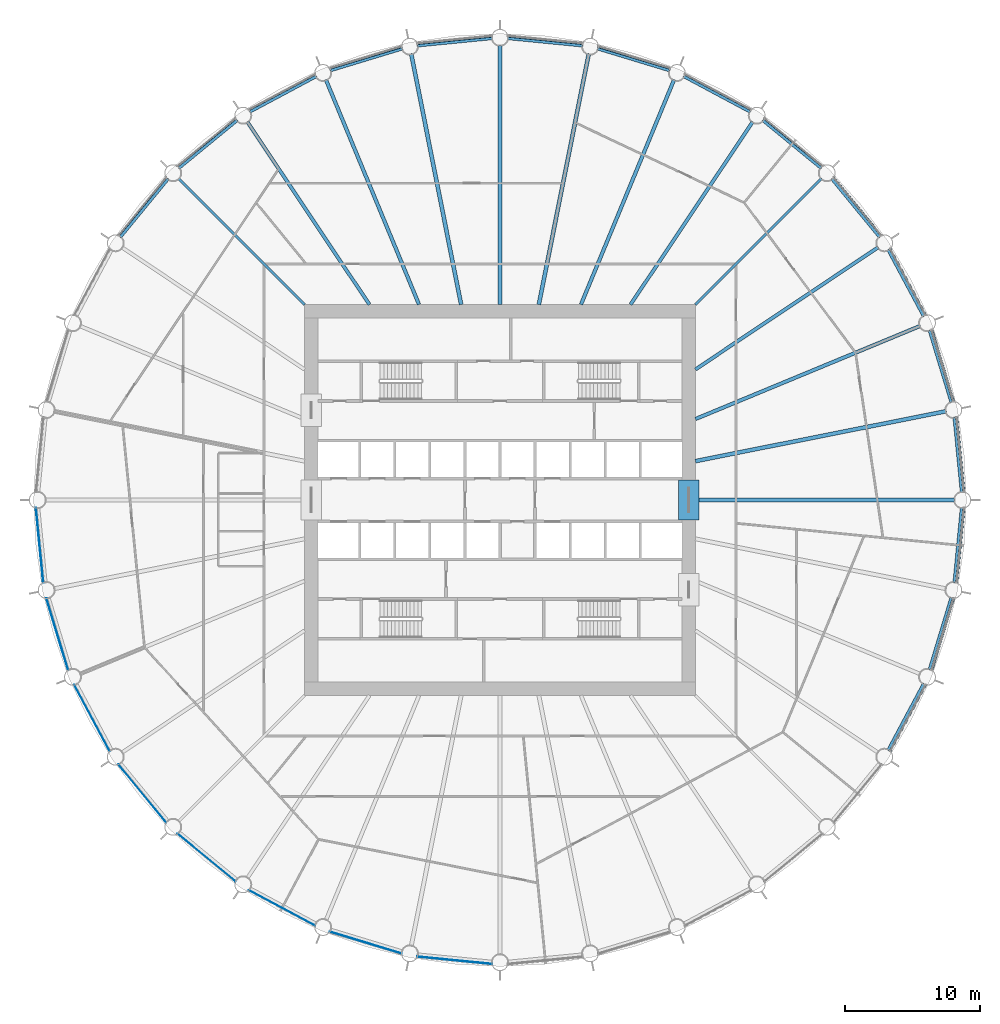
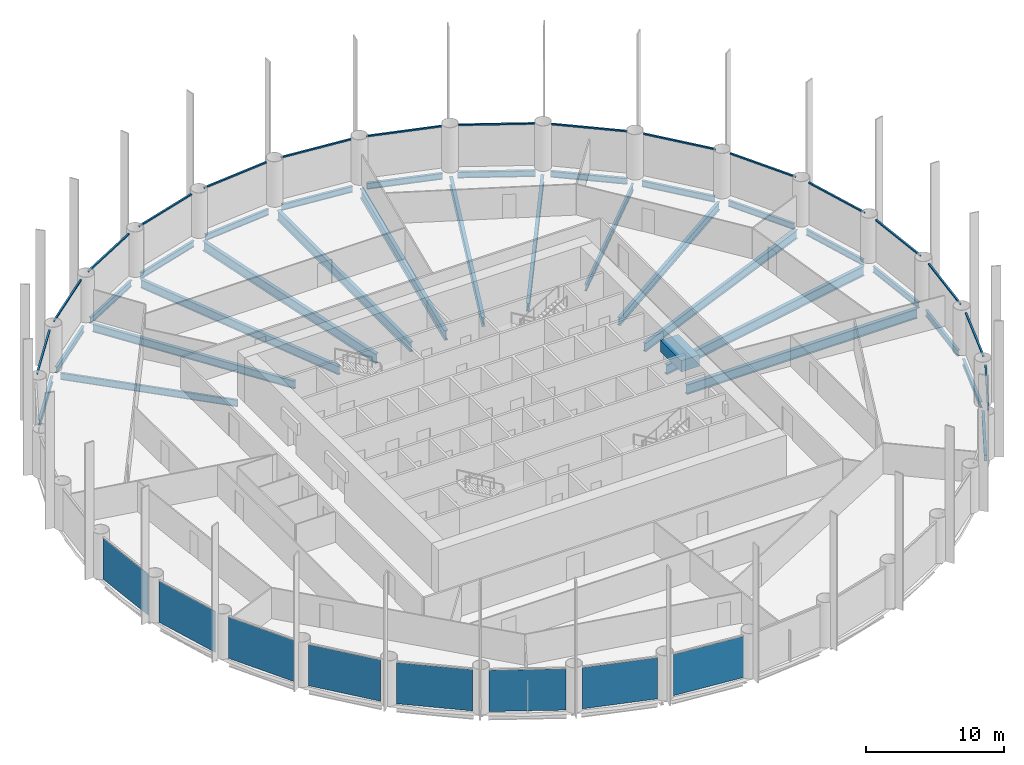
# One storey, part 2 of 10: 30 beams, 16 members, 8 plates, 24 elements without a shape of their own.
"""IFC4 building model written with IfcOpenShell, lengths in metres."""

from ifc_helpers import new_model, si_unit, direction, frame, origin, origin_2d, place, context, subcontext, project, spatial, rectangle, i_section, extrude, material, layer, layer_set, material_profile, profile_set, type_object, element, aggregate, save


model = new_model("IFC4")

# Units and contexts
model_context = context("Model", 3, precision=1e-05, world=origin(), true_north=direction((0.0, 1.0)))
body_context = subcontext(model_context, "Body", "Model", "MODEL_VIEW")
ifc_project = project(units=[si_unit("LENGTHUNIT", "METRE"), si_unit("AREAUNIT", "SQUARE_METRE"), si_unit("VOLUMEUNIT", "CUBIC_METRE"), si_unit("PLANEANGLEUNIT", "RADIAN"), si_unit("MASSUNIT", "GRAM", prefix="KILO")], contexts=[model_context])

# Site, building, storey
site_placement = place(None, origin())
site = spatial("IfcSite", under=ifc_project, at=site_placement, CompositionType="ELEMENT")
building_placement = place(site_placement, origin())
building = spatial("IfcBuilding", under=site, at=building_placement, Name="Corvane Civic Tower", CompositionType="ELEMENT")
storey_placement = place(building_placement, frame((0.0, 0.0, 106.5)))
storey = spatial("IfcBuildingStorey", under=building, at=storey_placement, Name="L24", CompositionType="ELEMENT", Elevation=106.5)

# Beams
ifc_material_1 = material(Name="Concrete C70/85", Category="concrete")
ifc_material_profile_1 = material_profile(ifc_material_1, rectangle(XDim=1.5, YDim=1.0, at=origin_2d()), Name="COUPLING BEAM 1500X1000")
ifc_profile_set_1 = profile_set([ifc_material_profile_1], Name="Concrete C70/85")
beam_type_1 = type_object("IfcBeamType", Name="COUPLING BEAM COUPLING BEAM 1500X1000", PredefinedType="BEAM", material=ifc_profile_set_1)
beam_1_placement = place(storey_placement, frame((14.0, -1.5, 2.60009765625), z_axis=(0.0, 1.0, 0.0), x_axis=(-1.0, 0.0, 0.0)))
element("IfcBeam", 1, at=beam_1_placement, inside=storey, type_object=beam_type_1, Name="BM-L24-cpl-CW-LE", PredefinedType="BEAM", context=body_context, shape_type="SweptSolid", body=[
    extrude(rectangle(XDim=1.5, YDim=1.0, at=origin_2d()), origin(), (0.0, 0.0, 1.0), 3.0),
])
ifc_material_2 = material(Name="Steel ASTM A992 Gr 50", Category="steel")
ifc_material_profile_2 = material_profile(ifc_material_2, i_section(OverallWidth=0.209228515625, OverallDepth=0.533447265625, WebThickness=0.01025390625, FlangeThickness=0.015625, at=origin_2d()), Name="W21X62")
ifc_profile_set_2 = profile_set([ifc_material_profile_2], Name="Steel ASTM A992 Gr 50")
beam_type_2 = type_object("IfcBeamType", Name="EDGE BEAM W21X62", PredefinedType="BEAM", material=ifc_profile_set_2)
beam_2_placement = place(storey_placement, frame((0.54736328125, 34.24609375, -0.566650390625), z_axis=(0.995184368522, -0.098020776625, 0.0), x_axis=(0.098020776625, 0.995184368522, 0.0)))
element("IfcBeam", 2, at=beam_2_placement, inside=storey, type_object=beam_type_2, Name="BM-L24-E01", PredefinedType="BEAM", context=body_context, shape_type="SweptSolid", body=[
    extrude(i_section(OverallWidth=0.209228515625, OverallDepth=0.533447265625, WebThickness=0.01025390625, FlangeThickness=0.015625, at=origin_2d()), origin(), (0.0, 0.0, 1.0), 5.6240234375),
])
beam_3_placement = place(storey_placement, frame((7.218017578125, 33.481201171875, -0.566650390625), z_axis=(0.956936367498, -0.290297758448, 0.0), x_axis=(0.290297758448, 0.956936367498, 0.0)))
element("IfcBeam", 3, at=beam_3_placement, inside=storey, type_object=beam_type_2, Name="BM-L24-E02", PredefinedType="BEAM", context=body_context, shape_type="SweptSolid", body=[
    extrude(i_section(OverallWidth=0.209228515625, OverallDepth=0.533447265625, WebThickness=0.01025390625, FlangeThickness=0.015625, at=origin_2d()), origin(), (0.0, 0.0, 1.0), 5.623779296875),
])
for number, where, z_axis, x_axis, name in (
    (4, (13.611083984375, 31.4296875, -0.566650390625), (0.88192357867, -0.471392407008, 0.0), (0.471392407008, 0.88192357867, 0.0), "BM-L24-E03"),
    (5, (19.481201171875, 28.17041015625, -0.566650390625), (0.773006775372, -0.634397765782, 0.0), (0.634397765782, 0.773006775372, 0.0), "BM-L24-E04"),
    (6, (24.6025390625, 23.82861328125, -0.566650390625), (0.634397765782, -0.773006775372, 0.0), (0.773006775372, 0.634397765782, 0.0), "BM-L24-E05"),
    (7, (28.778564453125, 18.571044921875, -0.566650390625), (0.471392407008, -0.88192357867, 0.0), (0.88192357867, 0.471392407008, 0.0), "BM-L24-E06"),
):
    element("IfcBeam", number, at=place(storey_placement, frame(where, z_axis=z_axis, x_axis=x_axis)), inside=storey, type_object=beam_type_2, Name=name, PredefinedType="BEAM", context=body_context, shape_type="SweptSolid", body=[
        extrude(i_section(OverallWidth=0.209228515625, OverallDepth=0.533447265625, WebThickness=0.01025390625, FlangeThickness=0.015625, at=origin_2d()), origin(), (0.0, 0.0, 1.0), 5.6240234375),
    ])
beam_4_placement = place(storey_placement, frame((31.8486328125, 12.599609375, -0.566650390625), z_axis=(0.290297758448, -0.956936367498, 0.0), x_axis=(0.956936367498, 0.290297758448, 0.0)))
element("IfcBeam", 8, at=beam_4_placement, inside=storey, type_object=beam_type_2, Name="BM-L24-E07", PredefinedType="BEAM", context=body_context, shape_type="SweptSolid", body=[
    extrude(i_section(OverallWidth=0.209228515625, OverallDepth=0.533447265625, WebThickness=0.01025390625, FlangeThickness=0.015625, at=origin_2d()), origin(), (0.0, 0.0, 1.0), 5.623779296875),
])
for number, where, z_axis, x_axis, name in (
    (9, (33.69482421875, 6.144287109375, -0.566650390625), (0.098020776625, -0.995184368522, 0.0), (0.995184368522, 0.098020776625, 0.0), "BM-L24-E08"),
    (10, (34.24609375, -0.54736328125, -0.566650390625), (-0.098020776625, -0.995184368522, 0.0), (0.995184368522, -0.098020776625, 0.0), "BM-L24-E09"),
):
    element("IfcBeam", number, at=place(storey_placement, frame(where, z_axis=z_axis, x_axis=x_axis)), inside=storey, type_object=beam_type_2, Name=name, PredefinedType="BEAM", context=body_context, shape_type="SweptSolid", body=[
        extrude(i_section(OverallWidth=0.209228515625, OverallDepth=0.533447265625, WebThickness=0.01025390625, FlangeThickness=0.015625, at=origin_2d()), origin(), (0.0, 0.0, 1.0), 5.6240234375),
    ])
beam_5_placement = place(storey_placement, frame((33.481201171875, -7.218017578125, -0.566650390625), z_axis=(-0.290297758448, -0.956936367498, 0.0), x_axis=(0.956936367498, -0.290297758448, 0.0)))
element("IfcBeam", 11, at=beam_5_placement, inside=storey, type_object=beam_type_2, Name="BM-L24-E10", PredefinedType="BEAM", context=body_context, shape_type="SweptSolid", body=[
    extrude(i_section(OverallWidth=0.209228515625, OverallDepth=0.533447265625, WebThickness=0.01025390625, FlangeThickness=0.015625, at=origin_2d()), origin(), (0.0, 0.0, 1.0), 5.623779296875),
])
for number, where, z_axis, x_axis, name in (
    (12, (31.4296875, -13.611083984375, -0.566650390625), (-0.471392407008, -0.88192357867, 0.0), (0.88192357867, -0.471392407008, 0.0), "BM-L24-E11"),
    (13, (-28.17041015625, 19.481201171875, -0.566650390625), (0.634397765782, 0.773006775372, 0.0), (-0.773006775372, 0.634397765782, 0.0), "BM-L24-E28"),
    (14, (-23.82861328125, 24.6025390625, -0.566650390625), (0.773006775372, 0.634397765782, 0.0), (-0.634397765782, 0.773006775372, 0.0), "BM-L24-E29"),
    (15, (-18.571044921875, 28.778564453125, -0.566650390625), (0.88192357867, 0.471392407008, 0.0), (-0.471392407008, 0.88192357867, 0.0), "BM-L24-E30"),
):
    element("IfcBeam", number, at=place(storey_placement, frame(where, z_axis=z_axis, x_axis=x_axis)), inside=storey, type_object=beam_type_2, Name=name, PredefinedType="BEAM", context=body_context, shape_type="SweptSolid", body=[
        extrude(i_section(OverallWidth=0.209228515625, OverallDepth=0.533447265625, WebThickness=0.01025390625, FlangeThickness=0.015625, at=origin_2d()), origin(), (0.0, 0.0, 1.0), 5.6240234375),
    ])
beam_6_placement = place(storey_placement, frame((-12.599609375, 31.8486328125, -0.566650390625), z_axis=(0.956936367498, 0.290297758448, 0.0), x_axis=(-0.290297758448, 0.956936367498, 0.0)))
element("IfcBeam", 16, at=beam_6_placement, inside=storey, type_object=beam_type_2, Name="BM-L24-E31", PredefinedType="BEAM", context=body_context, shape_type="SweptSolid", body=[
    extrude(i_section(OverallWidth=0.209228515625, OverallDepth=0.533447265625, WebThickness=0.01025390625, FlangeThickness=0.015625, at=origin_2d()), origin(), (0.0, 0.0, 1.0), 5.623779296875),
])
beam_7_placement = place(storey_placement, frame((-6.144287109375, 33.69482421875, -0.566650390625), z_axis=(0.995184368522, 0.098020776625, 0.0), x_axis=(-0.098020776625, 0.995184368522, 0.0)))
element("IfcBeam", 17, at=beam_7_placement, inside=storey, type_object=beam_type_2, Name="BM-L24-E32", PredefinedType="BEAM", context=body_context, shape_type="SweptSolid", body=[
    extrude(i_section(OverallWidth=0.209228515625, OverallDepth=0.533447265625, WebThickness=0.01025390625, FlangeThickness=0.015625, at=origin_2d()), origin(), (0.0, 0.0, 1.0), 5.6240234375),
])
ifc_material_3 = material(Name="Steel ASTM A992 Gr 50", Category="steel")
ifc_material_profile_3 = material_profile(ifc_material_3, i_section(OverallWidth=0.177978515625, OverallDepth=0.599365234375, WebThickness=0.010009765625, FlangeThickness=0.012939453125, at=origin_2d()), Name="W24X55")
ifc_profile_set_3 = profile_set([ifc_material_profile_3], Name="Steel ASTM A992 Gr 50")
beam_type_3 = type_object("IfcBeamType", Name="FLOOR GIRDER W24X55", PredefinedType="BEAM", material=ifc_profile_set_3)
for number, where, z_axis, x_axis, name in (
    (18, (14.5, 14.5, -0.599609375), (0.707106781187, 0.707106781187, 0.0), (-0.707106781187, 0.707106781187, 0.0), "BM-L24-G05"),
    (19, (-14.5, 14.5, -0.599609375), (-0.707106781187, 0.707106781187, 0.0), (-0.707106781187, -0.707106781187, 0.0), "BM-L24-G29"),
):
    element("IfcBeam", number, at=place(storey_placement, frame(where, z_axis=z_axis, x_axis=x_axis)), inside=storey, type_object=beam_type_3, Name=name, PredefinedType="BEAM", context=body_context, shape_type="SweptSolid", body=[
        extrude(i_section(OverallWidth=0.177978515625, OverallDepth=0.599365234375, WebThickness=0.010009765625, FlangeThickness=0.012939453125, at=origin_2d()), origin(), (0.0, 0.0, 1.0), 13.24365234375),
    ])
ifc_material_4 = material(Name="Steel ASTM A992 Gr 50", Category="steel")
ifc_material_profile_4 = material_profile(ifc_material_4, i_section(OverallWidth=0.256591796875, OverallDepth=0.693359375, WebThickness=0.014404296875, FlangeThickness=0.023681640625, at=origin_2d()), Name="W27X114")
ifc_profile_set_4 = profile_set([ifc_material_profile_4], Name="Steel ASTM A992 Gr 50")
beam_type_4 = type_object("IfcBeamType", Name="FLOOR GIRDER W27X114", PredefinedType="BEAM", material=ifc_profile_set_4)
for number, where, z_axis, x_axis, name in (
    (20, (9.6884765625, 14.5, -0.646728515625), (0.555577235054, 0.83146493365, 0.0), (-0.83146493365, 0.555577235054, 0.0), "BM-L24-G04"),
    (21, (14.5, 9.6884765625, -0.646728515625), (0.83146493365, 0.555577235054, 0.0), (-0.555577235054, 0.83146493365, 0.0), "BM-L24-G06"),
    (22, (-9.6884765625, 14.5, -0.646728515625), (-0.555577235054, 0.83146493365, 0.0), (-0.83146493365, -0.555577235054, 0.0), "BM-L24-G30"),
):
    element("IfcBeam", number, at=place(storey_placement, frame(where, z_axis=z_axis, x_axis=x_axis)), inside=storey, type_object=beam_type_4, Name=name, PredefinedType="BEAM", context=body_context, shape_type="SweptSolid", body=[
        extrude(i_section(OverallWidth=0.256591796875, OverallDepth=0.693359375, WebThickness=0.014404296875, FlangeThickness=0.023681640625, at=origin_2d()), origin(), (0.0, 0.0, 1.0), 16.31103515625),
    ])
ifc_material_5 = material(Name="Steel ASTM A992 Gr 50", Category="steel")
ifc_material_profile_5 = material_profile(ifc_material_5, i_section(OverallWidth=0.2666015625, OverallDepth=0.7568359375, WebThickness=0.013916015625, FlangeThickness=0.019287109375, at=origin_2d()), Name="W30X108")
ifc_profile_set_5 = profile_set([ifc_material_profile_5], Name="Steel ASTM A992 Gr 50")
beam_type_5 = type_object("IfcBeamType", Name="FLOOR GIRDER W30X108", PredefinedType="BEAM", material=ifc_profile_set_5)
for number, where, z_axis, x_axis, name in (
    (23, (6.006103515625, 14.5, -0.678466796875), (0.382681797504, 0.923880209691, 0.0), (-0.923880209691, 0.382681797504, 0.0), "BM-L24-G03"),
    (24, (14.5, 6.006103515625, -0.678466796875), (0.923880209691, 0.382681797504, 0.0), (-0.382681797504, 0.923880209691, 0.0), "BM-L24-G07"),
    (25, (-6.006103515625, 14.5, -0.678466796875), (-0.382681797504, 0.923880209691, 0.0), (-0.923880209691, -0.382681797504, 0.0), "BM-L24-G31"),
):
    element("IfcBeam", number, at=place(storey_placement, frame(where, z_axis=z_axis, x_axis=x_axis)), inside=storey, type_object=beam_type_5, Name=name, PredefinedType="BEAM", context=body_context, shape_type="SweptSolid", body=[
        extrude(i_section(OverallWidth=0.2666015625, OverallDepth=0.7568359375, WebThickness=0.013916015625, FlangeThickness=0.019287109375, at=origin_2d()), origin(), (0.0, 0.0, 1.0), 18.05517578125),
    ])
ifc_material_6 = material(Name="Steel ASTM A992 Gr 50", Category="steel")
ifc_material_profile_6 = material_profile(ifc_material_6, i_section(OverallWidth=0.2919921875, OverallDepth=0.8583984375, WebThickness=0.01708984375, FlangeThickness=0.031005859375, at=origin_2d()), Name="W33X169")
ifc_profile_set_6 = profile_set([ifc_material_profile_6], Name="Steel ASTM A992 Gr 50")
beam_type_6 = type_object("IfcBeamType", Name="FLOOR GIRDER W33X169", PredefinedType="BEAM", material=ifc_profile_set_6)
beam_8_placement = place(storey_placement, frame((0.0, 14.5, -0.729248046875), z_axis=(0.0, 1.0, 0.0), x_axis=(-1.0, 0.0, 0.0)))
element("IfcBeam", 26, at=beam_8_placement, inside=storey, type_object=beam_type_6, Name="BM-L24-G01", PredefinedType="BEAM", context=body_context, shape_type="SweptSolid", body=[
    extrude(i_section(OverallWidth=0.2919921875, OverallDepth=0.8583984375, WebThickness=0.01708984375, FlangeThickness=0.031005859375, at=origin_2d()), origin(), (0.0, 0.0, 1.0), 19.25),
])
for number, where, z_axis, x_axis, name in (
    (27, (2.88427734375, 14.5, -0.729248046875), (0.195083745652, 0.9807865885, 0.0), (-0.9807865885, 0.195083745652, 0.0), "BM-L24-G02"),
    (28, (14.5, 2.88427734375, -0.729248046875), (0.9807865885, 0.195083745652, 0.0), (-0.195083745652, 0.9807865885, 0.0), "BM-L24-G08"),
):
    element("IfcBeam", number, at=place(storey_placement, frame(where, z_axis=z_axis, x_axis=x_axis)), inside=storey, type_object=beam_type_6, Name=name, PredefinedType="BEAM", context=body_context, shape_type="SweptSolid", body=[
        extrude(i_section(OverallWidth=0.2919921875, OverallDepth=0.8583984375, WebThickness=0.01708984375, FlangeThickness=0.031005859375, at=origin_2d()), origin(), (0.0, 0.0, 1.0), 18.966064453125),
    ])
beam_9_placement = place(storey_placement, frame((14.5, 0.0, -0.729248046875), z_axis=(1.0, 0.0, 0.0), x_axis=(0.0, 1.0, 0.0)))
element("IfcBeam", 29, at=beam_9_placement, inside=storey, type_object=beam_type_6, Name="BM-L24-G09", PredefinedType="BEAM", context=body_context, shape_type="SweptSolid", body=[
    extrude(i_section(OverallWidth=0.2919921875, OverallDepth=0.8583984375, WebThickness=0.01708984375, FlangeThickness=0.031005859375, at=origin_2d()), origin(), (0.0, 0.0, 1.0), 19.25),
])
beam_10_placement = place(storey_placement, frame((-2.88427734375, 14.5, -0.729248046875), z_axis=(-0.195083745652, 0.9807865885, 0.0), x_axis=(-0.9807865885, -0.195083745652, 0.0)))
element("IfcBeam", 30, at=beam_10_placement, inside=storey, type_object=beam_type_6, Name="BM-L24-G32", PredefinedType="BEAM", context=body_context, shape_type="SweptSolid", body=[
    extrude(i_section(OverallWidth=0.2919921875, OverallDepth=0.8583984375, WebThickness=0.01708984375, FlangeThickness=0.031005859375, at=origin_2d()), origin(), (0.0, 0.0, 1.0), 18.966064453125),
])

# Curtain wall, member
ifc_material_7 = material(Name="Anodised aluminium bronze", Category="aluminium")
curtain_wall_type = type_object("IfcCurtainWallType", Name="TOWER CW-T1 STICK CURTAIN WALL", PredefinedType="NOTDEFINED", material=ifc_material_7)
curtain_wall_1_placement = place(storey_placement, origin())
curtain_wall_1 = element("IfcCurtainWall", 31, at=curtain_wall_1_placement, inside=storey, type_object=curtain_wall_type, Name="Curtain wall CW-T1 L24 bay 01", PredefinedType="NOTDEFINED")
ifc_material_8 = material(Name="Anodised aluminium bronze", Category="aluminium")
ifc_material_profile_7 = material_profile(ifc_material_8, rectangle(XDim=0.139892578125, YDim=0.1201171875, at=origin_2d()), Name="TOWER CW-T1 TRANSOM 140x120")
ifc_profile_set_7 = profile_set([ifc_material_profile_7], Name="Anodised aluminium bronze")
member_type = type_object("IfcMemberType", Name="TOWER CW-T1 TRANSOM 140x120", PredefinedType="USERDEFINED", material=ifc_profile_set_7)
member_1_placement = place(storey_placement, frame((0.58349609375, 34.422607421875, 3.68994140625), z_axis=(0.995179807033, -0.098067077419, 0.0), x_axis=(0.098067077419, 0.995179807033, 0.0)))
member_1 = element("IfcMember", 32, at=member_1_placement, type_object=member_type, Name="Transom CW-T1 L24 01.1", ObjectType="TRANSOM", PredefinedType="USERDEFINED", context=body_context, shape_type="SweptSolid", body=[
    extrude(rectangle(XDim=0.139892578125, YDim=0.1201171875, at=origin_2d()), origin(), (0.0, 0.0, 1.0), 5.58642578125),
])
aggregate(curtain_wall_1, [member_1])

curtain_wall_2_placement = place(storey_placement, origin())
curtain_wall_2 = element("IfcCurtainWall", 33, at=curtain_wall_2_placement, inside=storey, type_object=curtain_wall_type, Name="Curtain wall CW-T1 L24 bay 02", PredefinedType="NOTDEFINED")
member_2_placement = place(storey_placement, frame((7.287841796875, 33.647216796875, 3.68994140625), z_axis=(0.956944977029, -0.290269376509, 0.0), x_axis=(0.290269376509, 0.956944977029, 0.0)))
member_2 = element("IfcMember", 34, at=member_2_placement, type_object=member_type, Name="Transom CW-T1 L24 02.1", ObjectType="TRANSOM", PredefinedType="USERDEFINED", context=body_context, shape_type="SweptSolid", body=[
    extrude(rectangle(XDim=0.139892578125, YDim=0.1201171875, at=origin_2d()), origin(), (0.0, 0.0, 1.0), 5.58642578125),
])
aggregate(curtain_wall_2, [member_2])

curtain_wall_3_placement = place(storey_placement, origin())
curtain_wall_3 = element("IfcCurtainWall", 35, at=curtain_wall_3_placement, inside=storey, type_object=curtain_wall_type, Name="Curtain wall CW-T1 L24 bay 03", PredefinedType="NOTDEFINED")
member_3_placement = place(storey_placement, frame((13.712158203125, 31.5791015625, 3.68994140625), z_axis=(0.881920705407, -0.47139778253, 0.0), x_axis=(0.47139778253, 0.881920705407, 0.0)))
member_3 = element("IfcMember", 36, at=member_3_placement, type_object=member_type, Name="Transom CW-T1 L24 03.1", ObjectType="TRANSOM", PredefinedType="USERDEFINED", context=body_context, shape_type="SweptSolid", body=[
    extrude(rectangle(XDim=0.139892578125, YDim=0.1201171875, at=origin_2d()), origin(), (0.0, 0.0, 1.0), 5.586669921875),
])
aggregate(curtain_wall_3, [member_3])

curtain_wall_4_placement = place(storey_placement, origin())
curtain_wall_4 = element("IfcCurtainWall", 37, at=curtain_wall_4_placement, inside=storey, type_object=curtain_wall_type, Name="Curtain wall CW-T1 L24 bay 04", PredefinedType="NOTDEFINED")
member_4_placement = place(storey_placement, frame((19.609619140625, 28.297119140625, 3.68994140625), z_axis=(0.772996431642, -0.634410369295, 0.0), x_axis=(0.634410369295, 0.772996431642, 0.0)))
member_4 = element("IfcMember", 38, at=member_4_placement, type_object=member_type, Name="Transom CW-T1 L24 04.1", ObjectType="TRANSOM", PredefinedType="USERDEFINED", context=body_context, shape_type="SweptSolid", body=[
    extrude(rectangle(XDim=0.139892578125, YDim=0.1201171875, at=origin_2d()), origin(), (0.0, 0.0, 1.0), 5.586181640625),
])
aggregate(curtain_wall_4, [member_4])

curtain_wall_5_placement = place(storey_placement, origin())
curtain_wall_5 = element("IfcCurtainWall", 39, at=curtain_wall_5_placement, inside=storey, type_object=curtain_wall_type, Name="Curtain wall CW-T1 L24 bay 05", PredefinedType="NOTDEFINED")
member_5_placement = place(storey_placement, frame((24.753173828125, 23.927734375, 3.68994140625), z_axis=(0.634410369295, -0.772996431642, 0.0), x_axis=(0.772996431642, 0.634410369295, 0.0)))
member_5 = element("IfcMember", 40, at=member_5_placement, type_object=member_type, Name="Transom CW-T1 L24 05.1", ObjectType="TRANSOM", PredefinedType="USERDEFINED", context=body_context, shape_type="SweptSolid", body=[
    extrude(rectangle(XDim=0.139892578125, YDim=0.1201171875, at=origin_2d()), origin(), (0.0, 0.0, 1.0), 5.586181640625),
])
aggregate(curtain_wall_5, [member_5])

curtain_wall_6_placement = place(storey_placement, origin())
curtain_wall_6 = element("IfcCurtainWall", 41, at=curtain_wall_6_placement, inside=storey, type_object=curtain_wall_type, Name="Curtain wall CW-T1 L24 bay 06", PredefinedType="NOTDEFINED")
member_6_placement = place(storey_placement, frame((28.945556640625, 18.63916015625, 3.68994140625), z_axis=(0.47139778253, -0.881920705407, 0.0), x_axis=(0.881920705407, 0.47139778253, 0.0)))
member_6 = element("IfcMember", 42, at=member_6_placement, type_object=member_type, Name="Transom CW-T1 L24 06.1", ObjectType="TRANSOM", PredefinedType="USERDEFINED", context=body_context, shape_type="SweptSolid", body=[
    extrude(rectangle(XDim=0.139892578125, YDim=0.1201171875, at=origin_2d()), origin(), (0.0, 0.0, 1.0), 5.586669921875),
])
aggregate(curtain_wall_6, [member_6])

curtain_wall_7_placement = place(storey_placement, origin())
curtain_wall_7 = element("IfcCurtainWall", 43, at=curtain_wall_7_placement, inside=storey, type_object=curtain_wall_type, Name="Curtain wall CW-T1 L24 bay 07", PredefinedType="NOTDEFINED")
member_7_placement = place(storey_placement, frame((32.025634765625, 12.6337890625, 3.68994140625), z_axis=(0.290269376509, -0.956944977029, 0.0), x_axis=(0.956944977029, 0.290269376509, 0.0)))
member_7 = element("IfcMember", 44, at=member_7_placement, type_object=member_type, Name="Transom CW-T1 L24 07.1", ObjectType="TRANSOM", PredefinedType="USERDEFINED", context=body_context, shape_type="SweptSolid", body=[
    extrude(rectangle(XDim=0.139892578125, YDim=0.1201171875, at=origin_2d()), origin(), (0.0, 0.0, 1.0), 5.58642578125),
])
aggregate(curtain_wall_7, [member_7])

curtain_wall_8_placement = place(storey_placement, origin())
curtain_wall_8 = element("IfcCurtainWall", 45, at=curtain_wall_8_placement, inside=storey, type_object=curtain_wall_type, Name="Curtain wall CW-T1 L24 bay 08", PredefinedType="NOTDEFINED")
member_8_placement = place(storey_placement, frame((33.874755859375, 6.14306640625, 3.68994140625), z_axis=(0.098067077419, -0.995179807033, 0.0), x_axis=(0.995179807033, 0.098067077419, 0.0)))
member_8 = element("IfcMember", 46, at=member_8_placement, type_object=member_type, Name="Transom CW-T1 L24 08.1", ObjectType="TRANSOM", PredefinedType="USERDEFINED", context=body_context, shape_type="SweptSolid", body=[
    extrude(rectangle(XDim=0.139892578125, YDim=0.1201171875, at=origin_2d()), origin(), (0.0, 0.0, 1.0), 5.58642578125),
])
aggregate(curtain_wall_8, [member_8])

curtain_wall_9_placement = place(storey_placement, origin())
curtain_wall_9 = element("IfcCurtainWall", 47, at=curtain_wall_9_placement, inside=storey, type_object=curtain_wall_type, Name="Curtain wall CW-T1 L24 bay 09", PredefinedType="NOTDEFINED")
member_9_placement = place(storey_placement, frame((34.422607421875, -0.58349609375, 3.68994140625), z_axis=(-0.098067077419, -0.995179807033, 0.0), x_axis=(0.995179807033, -0.098067077419, 0.0)))
member_9 = element("IfcMember", 48, at=member_9_placement, type_object=member_type, Name="Transom CW-T1 L24 09.1", ObjectType="TRANSOM", PredefinedType="USERDEFINED", context=body_context, shape_type="SweptSolid", body=[
    extrude(rectangle(XDim=0.139892578125, YDim=0.1201171875, at=origin_2d()), origin(), (0.0, 0.0, 1.0), 5.58642578125),
])
aggregate(curtain_wall_9, [member_9])

curtain_wall_10_placement = place(storey_placement, origin())
curtain_wall_10 = element("IfcCurtainWall", 49, at=curtain_wall_10_placement, inside=storey, type_object=curtain_wall_type, Name="Curtain wall CW-T1 L24 bay 10", PredefinedType="NOTDEFINED")
member_10_placement = place(storey_placement, frame((33.647216796875, -7.287841796875, 3.68994140625), z_axis=(-0.290269376509, -0.956944977029, 0.0), x_axis=(0.956944977029, -0.290269376509, 0.0)))
member_10 = element("IfcMember", 50, at=member_10_placement, type_object=member_type, Name="Transom CW-T1 L24 10.1", ObjectType="TRANSOM", PredefinedType="USERDEFINED", context=body_context, shape_type="SweptSolid", body=[
    extrude(rectangle(XDim=0.139892578125, YDim=0.1201171875, at=origin_2d()), origin(), (0.0, 0.0, 1.0), 5.58642578125),
])
aggregate(curtain_wall_10, [member_10])

curtain_wall_11_placement = place(storey_placement, origin())
curtain_wall_11 = element("IfcCurtainWall", 51, at=curtain_wall_11_placement, inside=storey, type_object=curtain_wall_type, Name="Curtain wall CW-T1 L24 bay 11", PredefinedType="NOTDEFINED")
member_11_placement = place(storey_placement, frame((31.5791015625, -13.712158203125, 3.68994140625), z_axis=(-0.47139778253, -0.881920705407, 0.0), x_axis=(0.881920705407, -0.47139778253, 0.0)))
member_11 = element("IfcMember", 52, at=member_11_placement, type_object=member_type, Name="Transom CW-T1 L24 11.1", ObjectType="TRANSOM", PredefinedType="USERDEFINED", context=body_context, shape_type="SweptSolid", body=[
    extrude(rectangle(XDim=0.139892578125, YDim=0.1201171875, at=origin_2d()), origin(), (0.0, 0.0, 1.0), 5.586669921875),
])
aggregate(curtain_wall_11, [member_11])

curtain_wall_12_placement = place(storey_placement, origin())
curtain_wall_12 = element("IfcCurtainWall", 53, at=curtain_wall_12_placement, inside=storey, type_object=curtain_wall_type, Name="Curtain wall CW-T1 L24 bay 28", PredefinedType="NOTDEFINED")
member_12_placement = place(storey_placement, frame((-28.297119140625, 19.609619140625, 3.68994140625), z_axis=(0.634410369295, 0.772996431642, 0.0), x_axis=(-0.772996431642, 0.634410369295, 0.0)))
member_12 = element("IfcMember", 54, at=member_12_placement, type_object=member_type, Name="Transom CW-T1 L24 28.1", ObjectType="TRANSOM", PredefinedType="USERDEFINED", context=body_context, shape_type="SweptSolid", body=[
    extrude(rectangle(XDim=0.139892578125, YDim=0.1201171875, at=origin_2d()), origin(), (0.0, 0.0, 1.0), 5.586181640625),
])
aggregate(curtain_wall_12, [member_12])

curtain_wall_13_placement = place(storey_placement, origin())
curtain_wall_13 = element("IfcCurtainWall", 55, at=curtain_wall_13_placement, inside=storey, type_object=curtain_wall_type, Name="Curtain wall CW-T1 L24 bay 29", PredefinedType="NOTDEFINED")
member_13_placement = place(storey_placement, frame((-23.927734375, 24.753173828125, 3.68994140625), z_axis=(0.772996431642, 0.634410369295, 0.0), x_axis=(-0.634410369295, 0.772996431642, 0.0)))
member_13 = element("IfcMember", 56, at=member_13_placement, type_object=member_type, Name="Transom CW-T1 L24 29.1", ObjectType="TRANSOM", PredefinedType="USERDEFINED", context=body_context, shape_type="SweptSolid", body=[
    extrude(rectangle(XDim=0.139892578125, YDim=0.1201171875, at=origin_2d()), origin(), (0.0, 0.0, 1.0), 5.586181640625),
])
aggregate(curtain_wall_13, [member_13])

curtain_wall_14_placement = place(storey_placement, origin())
curtain_wall_14 = element("IfcCurtainWall", 57, at=curtain_wall_14_placement, inside=storey, type_object=curtain_wall_type, Name="Curtain wall CW-T1 L24 bay 30", PredefinedType="NOTDEFINED")
member_14_placement = place(storey_placement, frame((-18.63916015625, 28.945556640625, 3.68994140625), z_axis=(0.881920705407, 0.47139778253, 0.0), x_axis=(-0.47139778253, 0.881920705407, 0.0)))
member_14 = element("IfcMember", 58, at=member_14_placement, type_object=member_type, Name="Transom CW-T1 L24 30.1", ObjectType="TRANSOM", PredefinedType="USERDEFINED", context=body_context, shape_type="SweptSolid", body=[
    extrude(rectangle(XDim=0.139892578125, YDim=0.1201171875, at=origin_2d()), origin(), (0.0, 0.0, 1.0), 5.586669921875),
])
aggregate(curtain_wall_14, [member_14])

curtain_wall_15_placement = place(storey_placement, origin())
curtain_wall_15 = element("IfcCurtainWall", 59, at=curtain_wall_15_placement, inside=storey, type_object=curtain_wall_type, Name="Curtain wall CW-T1 L24 bay 31", PredefinedType="NOTDEFINED")
member_15_placement = place(storey_placement, frame((-12.6337890625, 32.025634765625, 3.68994140625), z_axis=(0.956944977029, 0.290269376509, 0.0), x_axis=(-0.290269376509, 0.956944977029, 0.0)))
member_15 = element("IfcMember", 60, at=member_15_placement, type_object=member_type, Name="Transom CW-T1 L24 31.1", ObjectType="TRANSOM", PredefinedType="USERDEFINED", context=body_context, shape_type="SweptSolid", body=[
    extrude(rectangle(XDim=0.139892578125, YDim=0.1201171875, at=origin_2d()), origin(), (0.0, 0.0, 1.0), 5.58642578125),
])
aggregate(curtain_wall_15, [member_15])

curtain_wall_16_placement = place(storey_placement, origin())
curtain_wall_16 = element("IfcCurtainWall", 61, at=curtain_wall_16_placement, inside=storey, type_object=curtain_wall_type, Name="Curtain wall CW-T1 L24 bay 32", PredefinedType="NOTDEFINED")
member_16_placement = place(storey_placement, frame((-6.14306640625, 33.874755859375, 3.68994140625), z_axis=(0.995179807033, 0.098067077419, 0.0), x_axis=(-0.098067077419, 0.995179807033, 0.0)))
member_16 = element("IfcMember", 62, at=member_16_placement, type_object=member_type, Name="Transom CW-T1 L24 32.1", ObjectType="TRANSOM", PredefinedType="USERDEFINED", context=body_context, shape_type="SweptSolid", body=[
    extrude(rectangle(XDim=0.139892578125, YDim=0.1201171875, at=origin_2d()), origin(), (0.0, 0.0, 1.0), 5.58642578125),
])
aggregate(curtain_wall_16, [member_16])

# Curtain wall, plate
curtain_wall_17_placement = place(storey_placement, origin())
curtain_wall_17 = element("IfcCurtainWall", 63, at=curtain_wall_17_placement, inside=storey, type_object=curtain_wall_type, Name="Curtain wall CW-T1 L24 bay 17", PredefinedType="NOTDEFINED")
ifc_material_9 = material(Name="Tinted glass", Category="glass")
ifc_layer = layer(ifc_material_9, 0.035888671875)
ifc_layer_set = layer_set([ifc_layer], Name="Tinted glass")
plate_type = type_object("IfcPlateType", Name="TOWER CW-T1 PANEL IGU36", PredefinedType="CURTAIN_PANEL", material=ifc_layer_set)
plate_1_placement = place(storey_placement, frame((-3.36328125, -34.148681640625, 0.0), z_axis=(0.0, 0.0, 1.0), x_axis=(-0.995183788169, 0.098026668644, 0.0)))
plate_1 = element("IfcPlate", 64, at=plate_1_placement, type_object=plate_type, Name="Glass panel CW-T1 L24 17.1", PredefinedType="CURTAIN_PANEL", context=body_context, shape_type="SweptSolid", body=[
    extrude(rectangle(XDim=5.58642578125, YDim=0.035888671875, at=origin_2d()), origin(), (0.0, 0.0, 1.0), 3.6298828125),
])
aggregate(curtain_wall_17, [plate_1])

curtain_wall_18_placement = place(storey_placement, origin())
curtain_wall_18 = element("IfcCurtainWall", 65, at=curtain_wall_18_placement, inside=storey, type_object=curtain_wall_type, Name="Curtain wall CW-T1 L24 bay 18", PredefinedType="NOTDEFINED")
plate_2_placement = place(storey_placement, frame((-9.9609375, -32.83642578125, 0.0), z_axis=(0.0, 0.0, 1.0), x_axis=(-0.956945991488, 0.290266032073, 0.0)))
plate_2 = element("IfcPlate", 66, at=plate_2_placement, type_object=plate_type, Name="Glass panel CW-T1 L24 18.1", PredefinedType="CURTAIN_PANEL", context=body_context, shape_type="SweptSolid", body=[
    extrude(rectangle(XDim=5.58642578125, YDim=0.035888671875, at=origin_2d()), origin(), (0.0, 0.0, 1.0), 3.6298828125),
])
aggregate(curtain_wall_18, [plate_2])

curtain_wall_19_placement = place(storey_placement, origin())
curtain_wall_19 = element("IfcCurtainWall", 67, at=curtain_wall_19_placement, inside=storey, type_object=curtain_wall_type, Name="Curtain wall CW-T1 L24 bay 19", PredefinedType="NOTDEFINED")
plate_3_placement = place(storey_placement, frame((-16.175537109375, -30.26220703125, 0.0), z_axis=(0.0, 0.0, 1.0), x_axis=(-0.881923642976, 0.471392286699, 0.0)))
plate_3 = element("IfcPlate", 68, at=plate_3_placement, type_object=plate_type, Name="Glass panel CW-T1 L24 19.1", PredefinedType="CURTAIN_PANEL", context=body_context, shape_type="SweptSolid", body=[
    extrude(rectangle(XDim=5.586669921875, YDim=0.035888671875, at=origin_2d()), origin(), (0.0, 0.0, 1.0), 3.6298828125),
])
aggregate(curtain_wall_19, [plate_3])

curtain_wall_20_placement = place(storey_placement, origin())
curtain_wall_20 = element("IfcCurtainWall", 69, at=curtain_wall_20_placement, inside=storey, type_object=curtain_wall_type, Name="Curtain wall CW-T1 L24 bay 20", PredefinedType="NOTDEFINED")
plate_4_placement = place(storey_placement, frame((-21.7685546875, -26.525146484375, 0.0), z_axis=(0.0, 0.0, 1.0), x_axis=(-0.773013419843, 0.63438966948, 0.0)))
plate_4 = element("IfcPlate", 70, at=plate_4_placement, type_object=plate_type, Name="Glass panel CW-T1 L24 20.1", PredefinedType="CURTAIN_PANEL", context=body_context, shape_type="SweptSolid", body=[
    extrude(rectangle(XDim=5.58642578125, YDim=0.035888671875, at=origin_2d()), origin(), (0.0, 0.0, 1.0), 3.6298828125),
])
aggregate(curtain_wall_20, [plate_4])

curtain_wall_21_placement = place(storey_placement, origin())
curtain_wall_21 = element("IfcCurtainWall", 71, at=curtain_wall_21_placement, inside=storey, type_object=curtain_wall_type, Name="Curtain wall CW-T1 L24 bay 21", PredefinedType="NOTDEFINED")
plate_5_placement = place(storey_placement, frame((-26.525146484375, -21.7685546875, 0.0), z_axis=(0.0, 0.0, 1.0), x_axis=(-0.63438966948, 0.773013419843, 0.0)))
plate_5 = element("IfcPlate", 72, at=plate_5_placement, type_object=plate_type, Name="Glass panel CW-T1 L24 21.1", PredefinedType="CURTAIN_PANEL", context=body_context, shape_type="SweptSolid", body=[
    extrude(rectangle(XDim=5.58642578125, YDim=0.035888671875, at=origin_2d()), origin(), (0.0, 0.0, 1.0), 3.6298828125),
])
aggregate(curtain_wall_21, [plate_5])

curtain_wall_22_placement = place(storey_placement, origin())
curtain_wall_22 = element("IfcCurtainWall", 73, at=curtain_wall_22_placement, inside=storey, type_object=curtain_wall_type, Name="Curtain wall CW-T1 L24 bay 22", PredefinedType="NOTDEFINED")
plate_6_placement = place(storey_placement, frame((-30.26220703125, -16.175537109375, 0.0), z_axis=(0.0, 0.0, 1.0), x_axis=(-0.471392286699, 0.881923642976, 0.0)))
plate_6 = element("IfcPlate", 74, at=plate_6_placement, type_object=plate_type, Name="Glass panel CW-T1 L24 22.1", PredefinedType="CURTAIN_PANEL", context=body_context, shape_type="SweptSolid", body=[
    extrude(rectangle(XDim=5.586669921875, YDim=0.035888671875, at=origin_2d()), origin(), (0.0, 0.0, 1.0), 3.6298828125),
])
aggregate(curtain_wall_22, [plate_6])

curtain_wall_23_placement = place(storey_placement, origin())
curtain_wall_23 = element("IfcCurtainWall", 75, at=curtain_wall_23_placement, inside=storey, type_object=curtain_wall_type, Name="Curtain wall CW-T1 L24 bay 23", PredefinedType="NOTDEFINED")
plate_7_placement = place(storey_placement, frame((-32.83642578125, -9.9609375, 0.0), z_axis=(0.0, 0.0, 1.0), x_axis=(-0.290266032073, 0.956945991488, 0.0)))
plate_7 = element("IfcPlate", 76, at=plate_7_placement, type_object=plate_type, Name="Glass panel CW-T1 L24 23.1", PredefinedType="CURTAIN_PANEL", context=body_context, shape_type="SweptSolid", body=[
    extrude(rectangle(XDim=5.58642578125, YDim=0.035888671875, at=origin_2d()), origin(), (0.0, 0.0, 1.0), 3.6298828125),
])
aggregate(curtain_wall_23, [plate_7])

curtain_wall_24_placement = place(storey_placement, origin())
curtain_wall_24 = element("IfcCurtainWall", 77, at=curtain_wall_24_placement, inside=storey, type_object=curtain_wall_type, Name="Curtain wall CW-T1 L24 bay 24", PredefinedType="NOTDEFINED")
plate_8_placement = place(storey_placement, frame((-34.148681640625, -3.36328125, 0.0), z_axis=(0.0, 0.0, 1.0), x_axis=(-0.098026668644, 0.995183788169, 0.0)))
plate_8 = element("IfcPlate", 78, at=plate_8_placement, type_object=plate_type, Name="Glass panel CW-T1 L24 24.1", PredefinedType="CURTAIN_PANEL", context=body_context, shape_type="SweptSolid", body=[
    extrude(rectangle(XDim=5.58642578125, YDim=0.035888671875, at=origin_2d()), origin(), (0.0, 0.0, 1.0), 3.6298828125),
])
aggregate(curtain_wall_24, [plate_8])

save(model, "model.ifc")
